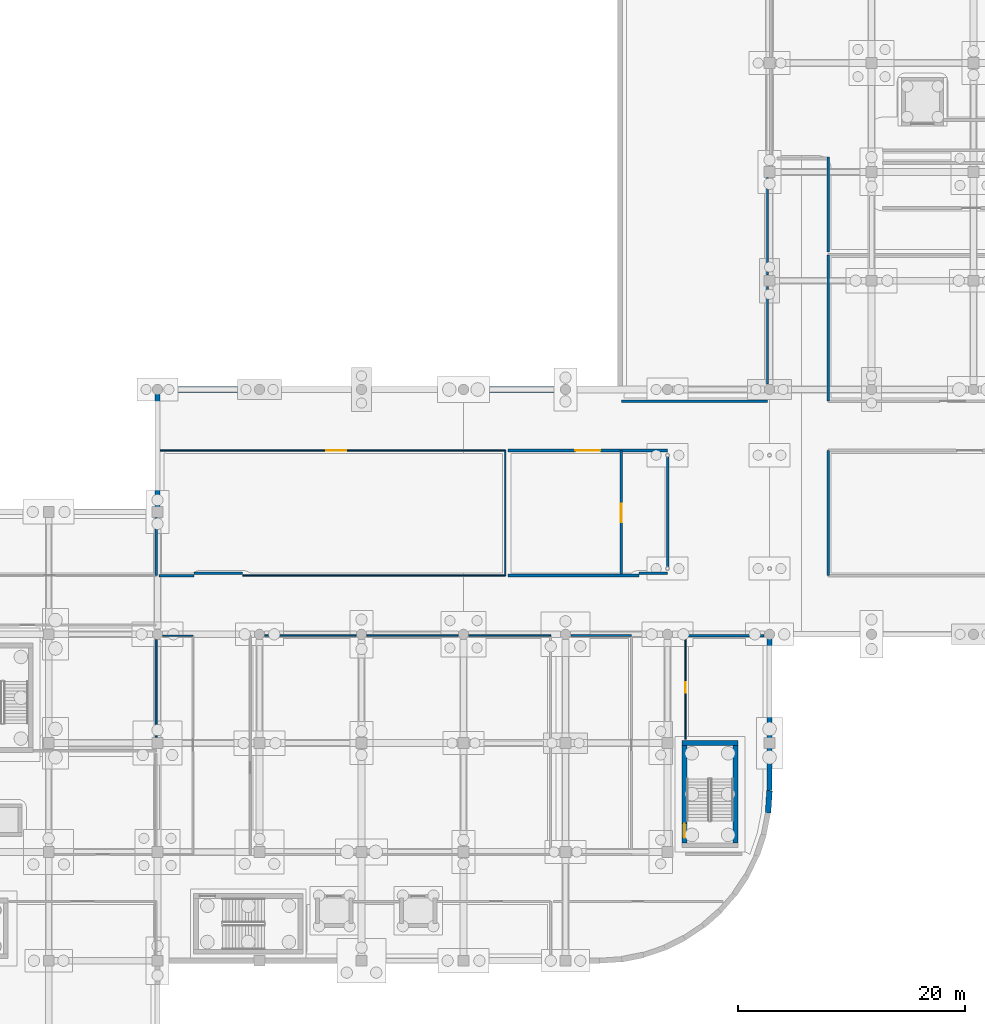
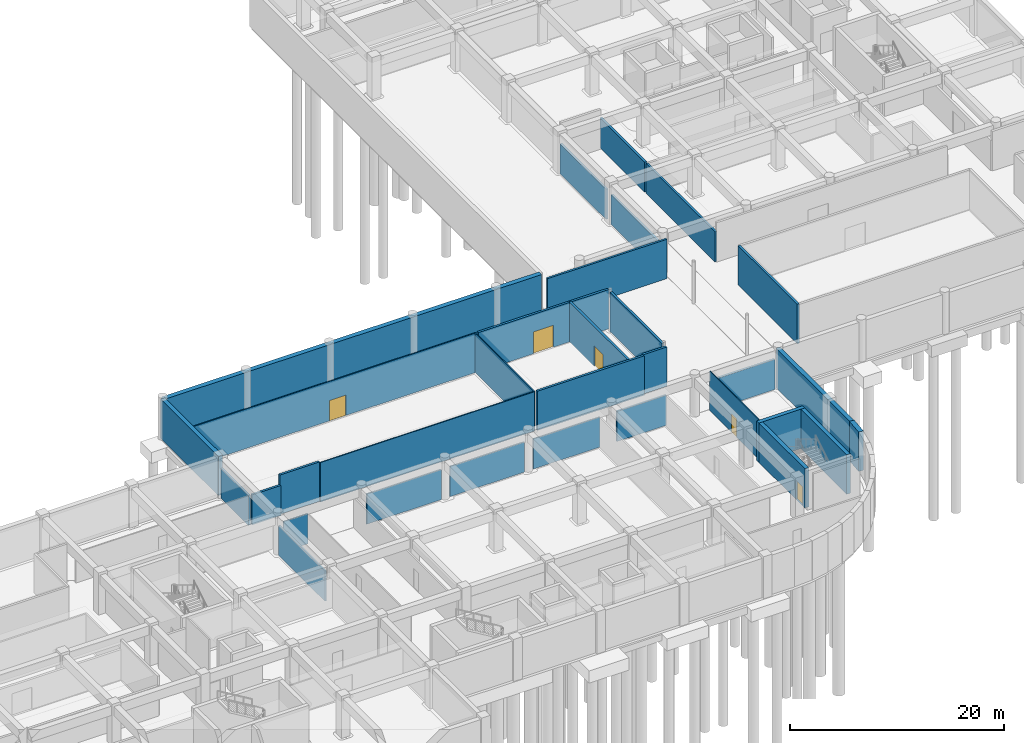
# One storey, part 17 of 47: 32 walls, 5 doors, 5 openings.
"""IFC4 building model written with IfcOpenShell, lengths in metres."""

from ifc_helpers import new_model, si_unit, direction, frame, frame_2d, origin, place, context, subcontext, project, spatial, rectangle, extrude, material, layer, layer_set, type_object, element, fill, save


model = new_model("IFC4")

# Units and contexts
model_context = context("Model", 3, precision=1e-05, world=origin(), true_north=direction((0.0, 1.0)))
body_context = subcontext(model_context, "Body", "Model", "MODEL_VIEW")
ifc_project = project(units=[si_unit("LENGTHUNIT", "METRE"), si_unit("AREAUNIT", "SQUARE_METRE"), si_unit("VOLUMEUNIT", "CUBIC_METRE"), si_unit("PLANEANGLEUNIT", "RADIAN"), si_unit("MASSUNIT", "GRAM", prefix="KILO")], contexts=[model_context])

# Site, building, storey
site_placement = place(None, origin())
site = spatial("IfcSite", under=ifc_project, at=site_placement, CompositionType="ELEMENT")
building_placement = place(site_placement, origin())
building = spatial("IfcBuilding", under=site, at=building_placement, Name="Cendralis Terraced Arcade", CompositionType="ELEMENT")
storey_placement = place(building_placement, frame((0.0, 0.0, -4.800048828125)))
storey = spatial("IfcBuildingStorey", under=building, at=storey_placement, Name="B1", CompositionType="ELEMENT", Elevation=-4.800048828125)

# Walls
ifc_material_1 = material(Name="Gypsum plasterboard acoustic partition", Category="concrete")
ifc_layer_1 = layer(ifc_material_1, 0.205078125, Name="WL-ACOU-205")
ifc_layer_set_1 = layer_set([ifc_layer_1], Name="Gypsum plasterboard acoustic partition")
wall_type_1 = type_object("IfcWallType", Name="WL-ACOU-205", PredefinedType="PARTITIONING", material=ifc_layer_set_1)
wall_1_placement = place(storey_placement, frame((67.080078125, 48.705078125, 0.0), z_axis=(0.0, 0.0, 1.0), x_axis=(0.0, -1.0, 0.0)))
element("IfcWall", 1, at=wall_1_placement, inside=storey, type_object=wall_type_1, Name="Interior Partition Wall IW-B1-0105", PredefinedType="PARTITIONING", context=body_context, shape_type="SweptSolid", body=[
    extrude(rectangle(XDim=5.125, YDim=0.205078125, at=frame_2d((2.5625, 0.0))), origin(), (0.0, 0.0, 1.0), 3.43994140625),
])
ifc_material_2 = material(Name="Autoclaved aerated concrete blockwork", Category="masonry")
ifc_layer_2 = layer(ifc_material_2, 0.221923828125, Name="WL-ACOU-222")
ifc_layer_set_2 = layer_set([ifc_layer_2], Name="Autoclaved aerated concrete blockwork")
wall_type_2 = type_object("IfcWallType", Name="WL-ACOU-222", PredefinedType="PARTITIONING", material=ifc_layer_set_2)
wall_2_placement = place(storey_placement, frame((70.4296875, 43.580078125, 0.0), z_axis=(0.0, 0.0, 1.0), x_axis=(-1.0, 0.0, 0.0)))
element("IfcWall", 2, at=wall_2_placement, inside=storey, type_object=wall_type_2, Name="Interior Partition Wall IW-B1-0124", PredefinedType="PARTITIONING", context=body_context, shape_type="SweptSolid", body=[
    extrude(rectangle(XDim=3.109619140625, YDim=0.221923828125, at=frame_2d((1.5546875, 0.0))), origin(), (0.0, 0.0, 1.0), 3.43994140625),
])
ifc_layer_3 = layer(ifc_material_2, 0.22802734375, Name="WL-ACOU-228")
ifc_layer_set_3 = layer_set([ifc_layer_3], Name="Autoclaved aerated concrete blockwork")
wall_type_3 = type_object("IfcWallType", Name="WL-ACOU-228", PredefinedType="PARTITIONING", material=ifc_layer_set_3)
wall_3_placement = place(storey_placement, frame((74.719482421875, 43.780029296875, 0.0), z_axis=(0.0, 0.0, 1.0), x_axis=(-1.0, 0.0, 0.0)))
element("IfcWall", 3, at=wall_3_placement, inside=storey, type_object=wall_type_3, Name="Interior Partition Wall IW-B1-0123", PredefinedType="PARTITIONING", context=body_context, shape_type="SweptSolid", body=[
    extrude(rectangle(XDim=4.289794921875, YDim=0.22802734375, at=frame_2d((2.14501953125, 0.0))), origin(), (0.0, 0.0, 1.0), 4.5),
])
wall_4_placement = place(storey_placement, frame((113.780029296875, 38.280029296875, 0.0), z_axis=(0.0, 0.0, 1.0), x_axis=(1.0, 0.0, 0.0)))
element("IfcWall", 4, at=wall_4_placement, inside=storey, type_object=wall_type_3, Name="Interior Partition Wall IW-B1-0144", PredefinedType="PARTITIONING", context=body_context, shape_type="SweptSolid", body=[
    extrude(rectangle(XDim=6.949951171875, YDim=0.22802734375, at=frame_2d((3.47509765625, 0.0))), origin(), (0.0, 0.0, 1.0), 3.43994140625),
])
ifc_material_3 = material(Name="Concrete f'c 42 MPa", Category="concrete")
ifc_layer_4 = layer(ifc_material_3, 0.419921875, Name="WL-CORE-420")
ifc_layer_set_4 = layer_set([ifc_layer_4], Name="Concrete f'c 42 MPa")
wall_type_4 = type_object("IfcWallType", Name="WL-CORE-420", PredefinedType="SHEAR", material=ifc_layer_set_4)
wall_5_placement = place(storey_placement, frame((113.47998046875, 28.81005859375, 0.0), z_axis=(0.0, 0.0, 1.0), x_axis=(1.0, 0.0, 0.0)))
element("IfcWall", 5, at=wall_5_placement, inside=storey, type_object=wall_type_4, Name="Stair Core Reinforced Concrete Shear Wall SW-ST-09-B1-N", PredefinedType="SHEAR", context=body_context, shape_type="SweptSolid", body=[
    extrude(rectangle(XDim=4.93994140625, YDim=0.419921875, at=frame_2d((2.469970703125, 0.0))), origin(), (0.0, 0.0, 1.0), 4.5),
])
wall_6_placement = place(storey_placement, frame((118.2099609375, 20.0, 0.0), z_axis=(0.0, 0.0, 1.0), x_axis=(0.0, 1.0, 0.0)))
element("IfcWall", 6, at=wall_6_placement, inside=storey, type_object=wall_type_4, Name="Stair Core Reinforced Concrete Shear Wall SW-ST-09-B1-E", PredefinedType="SHEAR", context=body_context, shape_type="SweptSolid", body=[
    extrude(rectangle(XDim=8.60009765625, YDim=0.419921875, at=frame_2d((4.300048828125, 0.0))), origin(), (0.0, 0.0, 1.0), 4.5),
])

# Wall, opening, door
wall_7_placement = place(storey_placement, frame((113.68994140625, 20.0, 0.0), z_axis=(0.0, 0.0, 1.0), x_axis=(0.0, 1.0, 0.0)))
wall_7 = element("IfcWall", 7, at=wall_7_placement, inside=storey, type_object=wall_type_4, Name="Stair Core Reinforced Concrete Shear Wall SW-ST-09-B1-W", PredefinedType="SHEAR", context=body_context, shape_type="SweptSolid", body=[
    extrude(rectangle(XDim=8.60009765625, YDim=0.419921875, at=frame_2d((4.300048828125, 0.0))), origin(), (0.0, 0.0, 1.0), 4.5),
])
opening_1_placement = place(wall_7_placement, frame((0.449951171875, 0.0, 0.0)))
opening_1 = element("IfcOpeningElement", 8, at=opening_1_placement, cuts=wall_7, Name="Opening D-ST-09-B1", PredefinedType="OPENING", context=body_context, shape_type="SweptSolid", body=[
    extrude(rectangle(XDim=1.25, YDim=2.199951171875, at=frame_2d((0.625, 1.10009765625))), frame((0.0, 0.221923828125, 0.0), z_axis=(0.0, -1.0, 0.0), x_axis=(1.0, 0.0, 0.0)), (0.0, 0.0, 1.0), 0.44384765625),
])
ifc_material_4 = material(Name="Galvanised fire-rated steel door assembly", Category="steel")
door_type_1 = type_object("IfcDoorType", Name="ID-ST-1250x2200", OperationType="NOTDEFINED", PredefinedType="DOOR", material=ifc_material_4)
door_1_placement = place(opening_1_placement, frame((1.25, 0.0, 0.0), z_axis=(0.0, 0.0, 1.0), x_axis=(-1.0, 0.0, 0.0)))
door_1 = element("IfcDoor", 9, at=door_1_placement, inside=storey, type_object=door_type_1, Name="Protected Stair ST-09 Fire Door (B1)", OperationType="SINGLE_SWING_RIGHT", OverallHeight=2.199951171875, OverallWidth=1.25, PredefinedType="DOOR", context=body_context, shape_type="SweptSolid", body=[
    extrude(rectangle(XDim=1.25, YDim=2.199951171875, at=frame_2d((0.625, 1.10009765625))), frame((0.0, 0.02490234375, 0.0), z_axis=(0.0, -1.0, 0.0), x_axis=(1.0, 0.0, 0.0)), (0.0, 0.0, 1.0), 0.050048828125),
])
fill(opening_1, door_1)

# Walls
ifc_layer_5 = layer(ifc_material_2, 0.215087890625, Name="WL-FIRE-215")
ifc_layer_set_5 = layer_set([ifc_layer_5], Name="Autoclaved aerated concrete blockwork")
wall_type_5 = type_object("IfcWallType", Name="WL-FIRE-215", PredefinedType="PARTITIONING", material=ifc_layer_set_5)
wall_8_placement = place(storey_placement, frame((126.3798828125, 58.97998046875, 0.0), z_axis=(0.0, 0.0, 1.0), x_axis=(0.0, 1.0, 0.0)))
element("IfcWall", 10, at=wall_8_placement, inside=storey, type_object=wall_type_5, Name="Interior Partition Wall IW-B1-0162", PredefinedType="PARTITIONING", context=body_context, shape_type="SweptSolid", body=[
    extrude(rectangle(XDim=12.89990234375, YDim=0.215087890625, at=frame_2d((6.449951171875, 0.0))), origin(), (0.0, 0.0, 1.0), 3.43994140625),
])
wall_9_placement = place(storey_placement, frame((121.02001953125, 58.97998046875, 0.0), z_axis=(0.0, 0.0, 1.0), x_axis=(-1.0, 0.0, 0.0)))
element("IfcWall", 11, at=wall_9_placement, inside=storey, type_object=wall_type_5, Name="Interior Partition Wall IW-B1-0185", PredefinedType="PARTITIONING", context=body_context, shape_type="SweptSolid", body=[
    extrude(rectangle(XDim=12.89990234375, YDim=0.215087890625, at=frame_2d((6.449951171875, 0.0))), origin(), (0.0, 0.0, 1.0), 4.5),
])
wall_10_placement = place(storey_placement, frame((121.02001953125, 69.10498046875, 0.0), z_axis=(0.0, 0.0, 1.0), x_axis=(0.0, -1.0, 0.0)))
element("IfcWall", 12, at=wall_10_placement, inside=storey, type_object=wall_type_5, Name="Interior Partition Wall IW-B1-0186", PredefinedType="PARTITIONING", context=body_context, shape_type="SweptSolid", body=[
    extrude(rectangle(XDim=8.635009765625, YDim=0.215087890625, at=frame_2d((4.3173828125, 0.0))), origin(), (0.0, 0.0, 1.0), 3.43994140625),
])
wall_11_placement = place(storey_placement, frame((121.02001953125, 78.705078125, 0.0), z_axis=(0.0, 0.0, 1.0), x_axis=(0.0, -1.0, 0.0)))
element("IfcWall", 13, at=wall_11_placement, inside=storey, type_object=wall_type_5, Name="Interior Partition Wall IW-B1-0187", PredefinedType="PARTITIONING", context=body_context, shape_type="SweptSolid", body=[
    extrude(rectangle(XDim=8.610107421875, YDim=0.215087890625, at=frame_2d((4.30517578125, 0.0))), origin(), (0.0, 0.0, 1.0), 3.43994140625),
])
ifc_layer_6 = layer(ifc_material_2, 0.235107421875, Name="WL-FIRE-235")
ifc_layer_set_6 = layer_set([ifc_layer_6], Name="Autoclaved aerated concrete blockwork")
wall_type_6 = type_object("IfcWallType", Name="WL-FIRE-235", PredefinedType="PARTITIONING", material=ifc_layer_set_6)
wall_12_placement = place(storey_placement, frame((126.3798828125, 43.580078125, 0.0), z_axis=(0.0, 0.0, 1.0), x_axis=(0.0, 1.0, 0.0)))
element("IfcWall", 14, at=wall_12_placement, inside=storey, type_object=wall_type_6, Name="Interior Partition Wall IW-B1-0158", PredefinedType="PARTITIONING", context=body_context, shape_type="SweptSolid", body=[
    extrude(rectangle(XDim=11.0400390625, YDim=0.235107421875, at=frame_2d((5.52001953125, 0.0))), origin(), (0.0, 0.0, 1.0), 4.5),
])

# Wall, opening, door
ifc_layer_7 = layer(ifc_material_2, 0.241943359375, Name="WL-FIRE-242")
ifc_layer_set_7 = layer_set([ifc_layer_7], Name="Autoclaved aerated concrete blockwork")
wall_type_7 = type_object("IfcWallType", Name="WL-FIRE-242", PredefinedType="PARTITIONING", material=ifc_layer_set_7)
wall_13_placement = place(storey_placement, frame((98.1201171875, 54.6201171875, 0.0), z_axis=(0.0, 0.0, 1.0), x_axis=(1.0, 0.0, 0.0)))
wall_13 = element("IfcWall", 15, at=wall_13_placement, inside=storey, type_object=wall_type_7, Name="Interior Partition Wall IW-B1-0125", PredefinedType="PARTITIONING", context=body_context, shape_type="SweptSolid", body=[
    extrude(rectangle(XDim=14.099853515625, YDim=0.241943359375, at=frame_2d((7.0498046875, 0.0))), origin(), (0.0, 0.0, 1.0), 4.5),
])
opening_2_placement = place(wall_13_placement, frame((5.949951171875, 0.0, 0.0)))
opening_2 = element("IfcOpeningElement", 16, at=opening_2_placement, cuts=wall_13, Name="Opening D-B1-042", PredefinedType="OPENING", context=body_context, shape_type="SweptSolid", body=[
    extrude(rectangle(XDim=2.199951171875, YDim=2.5, at=frame_2d((1.10009765625, 1.25))), frame((0.0, 0.1328125, 0.0), z_axis=(0.0, -1.0, 0.0), x_axis=(1.0, 0.0, 0.0)), (0.0, 0.0, 1.0), 0.265869140625),
])
door_type_2 = type_object("IfcDoorType", Name="ID-STK-2200x2500", OperationType="DOUBLE_DOOR_SINGLE_SWING", PredefinedType="DOOR", material=ifc_material_4)
door_2_placement = place(opening_2_placement, origin())
door_2 = element("IfcDoor", 17, at=door_2_placement, inside=storey, type_object=door_type_2, Name="Central Stockrooms and Automated Picking - Arcade Receiving Door D-B1-042", OperationType="DOUBLE_DOOR_SINGLE_SWING", OverallHeight=2.5, OverallWidth=2.199951171875, PredefinedType="DOOR", context=body_context, shape_type="SweptSolid", body=[
    extrude(rectangle(XDim=2.199951171875, YDim=2.5, at=frame_2d((1.10009765625, 1.25))), frame((0.0, 0.02490234375, 0.0), z_axis=(0.0, -1.0, 0.0), x_axis=(1.0, 0.0, 0.0)), (0.0, 0.0, 1.0), 0.050048828125),
])
fill(opening_2, door_2)

# Walls
wall_14_placement = place(storey_placement, frame((109.6806640625, 43.580078125, 0.0), z_axis=(0.0, 0.0, 1.0), x_axis=(-1.0, 0.0, 0.0)))
element("IfcWall", 18, at=wall_14_placement, inside=storey, type_object=wall_type_7, Name="Interior Partition Wall IW-B1-0126", PredefinedType="PARTITIONING", context=body_context, shape_type="SweptSolid", body=[
    extrude(rectangle(XDim=11.560546875, YDim=0.241943359375, at=frame_2d((5.7802734375, 0.0))), origin(), (0.0, 0.0, 1.0), 4.5),
])
wall_15_placement = place(storey_placement, frame((112.219970703125, 54.0400390625, 0.0), z_axis=(0.0, 0.0, 1.0), x_axis=(0.0, -1.0, 0.0)))
element("IfcWall", 19, at=wall_15_placement, inside=storey, type_object=wall_type_7, Name="Interior Partition Wall IW-B1-0127", PredefinedType="PARTITIONING", context=body_context, shape_type="SweptSolid", body=[
    extrude(rectangle(XDim=9.679931640625, YDim=0.241943359375, at=frame_2d((4.83984375, 0.0))), origin(), (0.0, 0.0, 1.0), 4.5),
])
wall_16_placement = place(storey_placement, frame((112.219970703125, 43.780029296875, 0.0), z_axis=(0.0, 0.0, 1.0), x_axis=(-1.0, 0.0, 0.0)))
element("IfcWall", 20, at=wall_16_placement, inside=storey, type_object=wall_type_7, Name="Interior Partition Wall IW-B1-0128", PredefinedType="PARTITIONING", context=body_context, shape_type="SweptSolid", body=[
    extrude(rectangle(XDim=2.539306640625, YDim=0.241943359375, at=frame_2d((1.26953125, 0.0))), origin(), (0.0, 0.0, 1.0), 4.5),
])
wall_17_placement = place(storey_placement, frame((126.3798828125, 72.1201171875, 0.0), z_axis=(0.0, 0.0, 1.0), x_axis=(0.0, 1.0, 0.0)))
element("IfcWall", 21, at=wall_17_placement, inside=storey, type_object=wall_type_7, Name="Interior Partition Wall IW-B1-0174", PredefinedType="PARTITIONING", context=body_context, shape_type="SweptSolid", body=[
    extrude(rectangle(XDim=8.380859375, YDim=0.241943359375, at=frame_2d((4.1904296875, 0.0))), origin(), (0.0, 0.0, 1.0), 3.43994140625),
])

# Wall, opening, door
ifc_layer_8 = layer(ifc_material_2, 0.260009765625, Name="WL-FIRE-260")
ifc_layer_set_8 = layer_set([ifc_layer_8], Name="Autoclaved aerated concrete blockwork")
wall_type_8 = type_object("IfcWallType", Name="WL-FIRE-260", PredefinedType="PARTITIONING", material=ifc_layer_set_8)
wall_18_placement = place(storey_placement, frame((108.1201171875, 43.580078125, 0.0), z_axis=(0.0, 0.0, 1.0), x_axis=(0.0, 1.0, 0.0)))
wall_18 = element("IfcWall", 22, at=wall_18_placement, inside=storey, type_object=wall_type_8, Name="Interior Partition Wall IW-B1-0189", PredefinedType="PARTITIONING", context=body_context, shape_type="SweptSolid", body=[
    extrude(rectangle(XDim=11.0400390625, YDim=0.260009765625, at=frame_2d((5.52001953125, 0.0))), origin(), (0.0, 0.0, 1.0), 4.5),
])
opening_3_placement = place(wall_18_placement, frame((4.719970703125, 0.0, 0.0)))
opening_3 = element("IfcOpeningElement", 23, at=opening_3_placement, cuts=wall_18, Name="Opening D-B1-057", PredefinedType="OPENING", context=body_context, shape_type="SweptSolid", body=[
    extrude(rectangle(XDim=1.60009765625, YDim=2.300048828125, at=frame_2d((0.800048828125, 1.14990234375))), frame((0.0, 0.14208984375, 0.0), z_axis=(0.0, -1.0, 0.0), x_axis=(1.0, 0.0, 0.0)), (0.0, 0.0, 1.0), 0.283935546875),
])
door_type_3 = type_object("IfcDoorType", Name="ID-PLT-1600x2300", OperationType="DOUBLE_DOOR_SINGLE_SWING", PredefinedType="DOOR", material=ifc_material_4)
door_3_placement = place(opening_3_placement, origin())
door_3 = element("IfcDoor", 24, at=door_3_placement, inside=storey, type_object=door_type_3, Name="Substation, Chiller, Water Tank and Standby Power Plant - North Hall Door D-B1-057", OperationType="DOUBLE_DOOR_SINGLE_SWING", OverallHeight=2.300048828125, OverallWidth=1.60009765625, PredefinedType="DOOR", context=body_context, shape_type="SweptSolid", body=[
    extrude(rectangle(XDim=1.60009765625, YDim=2.300048828125, at=frame_2d((0.800048828125, 1.14990234375))), frame((0.0, 0.02490234375, 0.0), z_axis=(0.0, -1.0, 0.0), x_axis=(1.0, 0.0, 0.0)), (0.0, 0.0, 1.0), 0.050048828125),
])
fill(opening_3, door_3)

# Wall
ifc_layer_9 = layer(ifc_material_1, 0.10791015625, Name="WL-PART-108")
ifc_layer_set_9 = layer_set([ifc_layer_9], Name="Gypsum plasterboard acoustic partition")
wall_type_9 = type_object("IfcWallType", Name="WL-PART-108", PredefinedType="PARTITIONING", material=ifc_layer_set_9)
wall_19_placement = place(storey_placement, frame((97.8798828125, 54.6201171875, 0.0), z_axis=(0.0, 0.0, 1.0), x_axis=(0.0, -1.0, 0.0)))
element("IfcWall", 25, at=wall_19_placement, inside=storey, type_object=wall_type_9, Name="Interior Partition Wall IW-B1-0122", PredefinedType="PARTITIONING", context=body_context, shape_type="SweptSolid", body=[
    extrude(rectangle(XDim=11.0400390625, YDim=0.10791015625, at=frame_2d((5.52001953125, 0.0))), origin(), (0.0, 0.0, 1.0), 4.5),
])

# Wall, opening, door
wall_20_placement = place(storey_placement, frame((113.780029296875, 29.126220703125, 0.0), z_axis=(0.0, 0.0, 1.0), x_axis=(0.0, 1.0, 0.0)))
wall_20 = element("IfcWall", 26, at=wall_20_placement, inside=storey, type_object=wall_type_9, Name="Interior Partition Wall IW-B1-0143", PredefinedType="PARTITIONING", context=body_context, shape_type="SweptSolid", body=[
    extrude(rectangle(XDim=9.15380859375, YDim=0.10791015625, at=frame_2d((4.576904296875, 0.0))), origin(), (0.0, 0.0, 1.0), 4.5),
])
opening_4_placement = place(wall_20_placement, frame((4.096923828125, 0.0, 0.0)))
opening_4 = element("IfcOpeningElement", 27, at=opening_4_placement, cuts=wall_20, Name="Opening D-B1-046", PredefinedType="OPENING", context=body_context, shape_type="SweptSolid", body=[
    extrude(rectangle(XDim=0.9599609375, YDim=2.1298828125, at=frame_2d((0.47998046875, 1.06494140625))), frame((0.0, 0.06591796875, 0.0), z_axis=(0.0, -1.0, 0.0), x_axis=(1.0, 0.0, 0.0)), (0.0, 0.0, 1.0), 0.1318359375),
])
ifc_material_5 = material(Name="Solid core Andean oak veneer door leaf", Category="aluminium")
door_type_4 = type_object("IfcDoorType", Name="ID-RM-0960x2130", OperationType="NOTDEFINED", PredefinedType="DOOR", material=ifc_material_5)
door_4_placement = place(opening_4_placement, origin())
door_4 = element("IfcDoor", 28, at=door_4_placement, inside=storey, type_object=door_type_4, Name="Culinary Cold Stockroom and Wine Vault Door D-B1-046", OperationType="SINGLE_SWING_RIGHT", OverallHeight=2.1298828125, OverallWidth=0.9599609375, PredefinedType="DOOR", context=body_context, shape_type="SweptSolid", body=[
    extrude(rectangle(XDim=0.9599609375, YDim=2.1298828125, at=frame_2d((0.47998046875, 1.06494140625))), frame((0.0, 0.02490234375, 0.0), z_axis=(0.0, -1.0, 0.0), x_axis=(1.0, 0.0, 0.0)), (0.0, 0.0, 1.0), 0.050048828125),
])
fill(opening_4, door_4)

# Wall
ifc_layer_10 = layer(ifc_material_1, 0.112060546875, Name="WL-PART-112")
ifc_layer_set_10 = layer_set([ifc_layer_10], Name="Gypsum plasterboard acoustic partition")
wall_type_10 = type_object("IfcWallType", Name="WL-PART-112", PredefinedType="PARTITIONING", material=ifc_layer_set_10)
wall_21_placement = place(storey_placement, frame((97.8798828125, 43.580078125, 0.0), z_axis=(0.0, 0.0, 1.0), x_axis=(-1.0, 0.0, 0.0)))
element("IfcWall", 29, at=wall_21_placement, inside=storey, type_object=wall_type_10, Name="Interior Partition Wall IW-B1-0121", PredefinedType="PARTITIONING", context=body_context, shape_type="SweptSolid", body=[
    extrude(rectangle(XDim=23.160400390625, YDim=0.112060546875, at=frame_2d((11.580078125, 0.0))), origin(), (0.0, 0.0, 1.0), 4.5),
])

# Wall, opening, door
ifc_layer_11 = layer(ifc_material_1, 0.114990234375, Name="WL-PART-115")
ifc_layer_set_11 = layer_set([ifc_layer_11], Name="Gypsum plasterboard acoustic partition")
wall_type_11 = type_object("IfcWallType", Name="WL-PART-115", PredefinedType="PARTITIONING", material=ifc_layer_set_11)
wall_22_placement = place(storey_placement, frame((67.425048828125, 54.6201171875, 0.0), z_axis=(0.0, 0.0, 1.0), x_axis=(1.0, 0.0, 0.0)))
wall_22 = element("IfcWall", 30, at=wall_22_placement, inside=storey, type_object=wall_type_11, Name="Interior Partition Wall IW-B1-0120", PredefinedType="PARTITIONING", context=body_context, shape_type="SweptSolid", body=[
    extrude(rectangle(XDim=30.454833984375, YDim=0.114990234375, at=frame_2d((15.2275390625, 0.0))), origin(), (0.0, 0.0, 1.0), 4.5),
])
opening_5_placement = place(wall_22_placement, frame((14.64501953125, 0.0, 0.0)))
opening_5 = element("IfcOpeningElement", 31, at=opening_5_placement, cuts=wall_22, Name="Opening D-B1-041", PredefinedType="OPENING", context=body_context, shape_type="SweptSolid", body=[
    extrude(rectangle(XDim=1.780029296875, YDim=2.320068359375, at=frame_2d((0.89013671875, 1.16015625))), frame((0.0, 0.0693359375, 0.0), z_axis=(0.0, -1.0, 0.0), x_axis=(1.0, 0.0, 0.0)), (0.0, 0.0, 1.0), 0.138916015625),
])
door_type_5 = type_object("IfcDoorType", Name="ID-DEP-1780x2320", OperationType="DOUBLE_DOOR_SINGLE_SWING", PredefinedType="DOOR", material=ifc_material_5)
door_5_placement = place(opening_5_placement, origin())
door_5 = element("IfcDoor", 32, at=door_5_placement, inside=storey, type_object=door_type_5, Name="Bicycle Mobility and Micromobility Hub - East Bay Door D-B1-041", OperationType="DOUBLE_DOOR_SINGLE_SWING", OverallHeight=2.320068359375, OverallWidth=1.780029296875, PredefinedType="DOOR", context=body_context, shape_type="SweptSolid", body=[
    extrude(rectangle(XDim=1.780029296875, YDim=2.320068359375, at=frame_2d((0.89013671875, 1.16015625))), frame((0.0, 0.02490234375, 0.0), z_axis=(0.0, -1.0, 0.0), x_axis=(1.0, 0.0, 0.0)), (0.0, 0.0, 1.0), 0.050048828125),
])
fill(opening_5, door_5)

# Walls
ifc_layer_12 = layer(ifc_material_1, 0.117919921875, Name="WL-PART-118")
ifc_layer_set_12 = layer_set([ifc_layer_12], Name="Gypsum plasterboard acoustic partition")
wall_type_12 = type_object("IfcWallType", Name="WL-PART-118", PredefinedType="PARTITIONING", material=ifc_layer_set_12)
wall_23_placement = place(storey_placement, frame((67.669921875, 38.280029296875, 0.0), z_axis=(0.0, 0.0, 1.0), x_axis=(1.0, 0.0, 0.0)))
element("IfcWall", 33, at=wall_23_placement, inside=storey, type_object=wall_type_12, Name="Interior Partition Wall IW-B1-0141", PredefinedType="PARTITIONING", context=body_context, shape_type="SweptSolid", body=[
    extrude(rectangle(XDim=2.650146484375, YDim=0.117919921875, at=frame_2d((1.3251953125, 0.0))), origin(), (0.0, 0.0, 1.0), 3.43994140625),
])
ifc_layer_13 = layer(ifc_material_1, 0.1298828125, Name="WL-PART-130")
ifc_layer_set_13 = layer_set([ifc_layer_13], Name="Gypsum plasterboard acoustic partition")
wall_type_13 = type_object("IfcWallType", Name="WL-PART-130", PredefinedType="PARTITIONING", material=ifc_layer_set_13)
wall_24_placement = place(storey_placement, frame((94.669921875, 38.280029296875, 0.0), z_axis=(0.0, 0.0, 1.0), x_axis=(1.0, 0.0, 0.0)))
element("IfcWall", 34, at=wall_24_placement, inside=storey, type_object=wall_type_13, Name="Interior Partition Wall IW-B1-0139", PredefinedType="PARTITIONING", context=body_context, shape_type="SweptSolid", body=[
    extrude(rectangle(XDim=7.2099609375, YDim=0.1298828125, at=frame_2d((3.60498046875, 0.0))), origin(), (0.0, 0.0, 1.0), 3.43994140625),
])
ifc_layer_14 = layer(ifc_material_1, 0.134033203125, Name="WL-PART-134")
ifc_layer_set_14 = layer_set([ifc_layer_14], Name="Gypsum plasterboard acoustic partition")
wall_type_14 = type_object("IfcWallType", Name="WL-PART-134", PredefinedType="PARTITIONING", material=ifc_layer_set_14)
wall_25_placement = place(storey_placement, frame((85.669921875, 38.280029296875, 0.0), z_axis=(0.0, 0.0, 1.0), x_axis=(1.0, 0.0, 0.0)))
element("IfcWall", 35, at=wall_25_placement, inside=storey, type_object=wall_type_14, Name="Interior Partition Wall IW-B1-0138", PredefinedType="PARTITIONING", context=body_context, shape_type="SweptSolid", body=[
    extrude(rectangle(XDim=8.06005859375, YDim=0.134033203125, at=frame_2d((4.030029296875, 0.0))), origin(), (0.0, 0.0, 1.0), 3.43994140625),
])
ifc_layer_15 = layer(ifc_material_1, 0.137939453125, Name="WL-PART-138")
ifc_layer_set_15 = layer_set([ifc_layer_15], Name="Gypsum plasterboard acoustic partition")
wall_type_15 = type_object("IfcWallType", Name="WL-PART-138", PredefinedType="PARTITIONING", material=ifc_layer_set_15)
wall_26_placement = place(storey_placement, frame((76.669921875, 38.280029296875, 0.0), z_axis=(0.0, 0.0, 1.0), x_axis=(1.0, 0.0, 0.0)))
element("IfcWall", 36, at=wall_26_placement, inside=storey, type_object=wall_type_15, Name="Interior Partition Wall IW-B1-0137", PredefinedType="PARTITIONING", context=body_context, shape_type="SweptSolid", body=[
    extrude(rectangle(XDim=8.06005859375, YDim=0.137939453125, at=frame_2d((4.030029296875, 0.0))), origin(), (0.0, 0.0, 1.0), 3.43994140625),
])
ifc_layer_16 = layer(ifc_material_1, 0.169921875, Name="WL-PART-170")
ifc_layer_set_16 = layer_set([ifc_layer_16], Name="Gypsum plasterboard acoustic partition")
wall_type_16 = type_object("IfcWallType", Name="WL-PART-170", PredefinedType="PARTITIONING", material=ifc_layer_set_16)
wall_27_placement = place(storey_placement, frame((67.080078125, 37.929931640625, 0.0), z_axis=(0.0, 0.0, 1.0), x_axis=(0.0, -1.0, 0.0)))
element("IfcWall", 37, at=wall_27_placement, inside=storey, type_object=wall_type_16, Name="Interior Partition Wall IW-B1-0111", PredefinedType="PARTITIONING", context=body_context, shape_type="SweptSolid", body=[
    extrude(rectangle(XDim=8.635009765625, YDim=0.169921875, at=frame_2d((4.3173828125, 0.0))), origin(), (0.0, 0.0, 1.0), 3.43994140625),
])
ifc_layer_17 = layer(ifc_material_1, 0.18994140625, Name="WL-PART-190")
ifc_layer_set_17 = layer_set([ifc_layer_17], Name="Gypsum plasterboard acoustic partition")
wall_type_17 = type_object("IfcWallType", Name="WL-PART-190", PredefinedType="PARTITIONING", material=ifc_layer_set_17)
wall_28_placement = place(storey_placement, frame((103.669921875, 38.280029296875, 0.0), z_axis=(0.0, 0.0, 1.0), x_axis=(1.0, 0.0, 0.0)))
element("IfcWall", 38, at=wall_28_placement, inside=storey, type_object=wall_type_17, Name="Interior Partition Wall IW-B1-0148", PredefinedType="PARTITIONING", context=body_context, shape_type="SweptSolid", body=[
    extrude(rectangle(XDim=5.35009765625, YDim=0.18994140625, at=frame_2d((2.675048828125, 0.0))), origin(), (0.0, 0.0, 1.0), 3.43994140625),
])
ifc_material_6 = material(Name="Concrete f'c 35 MPa", Category="concrete")
ifc_layer_18 = layer(ifc_material_6, 0.449951171875, Name="WL-RET-450")
ifc_layer_set_18 = layer_set([ifc_layer_18], Name="Concrete f'c 35 MPa")
wall_type_18 = type_object("IfcWallType", Name="WL-RET-450", PredefinedType="USERDEFINED", material=ifc_layer_set_18)
wall_29_placement = place(storey_placement, frame((67.199951171875, 49.199951171875, 0.0), z_axis=(0.0, 0.0, 1.0), x_axis=(0.0, 1.0, 0.0)))
element("IfcWall", 39, at=wall_29_placement, inside=storey, type_object=wall_type_18, Name="Basement Reinforced Concrete Retaining Wall RW-B1-30", ObjectType="RETAINING WALL", PredefinedType="USERDEFINED", context=body_context, shape_type="SweptSolid", body=[
    extrude(rectangle(XDim=10.800048828125, YDim=0.449951171875, at=frame_2d((5.39990234375, 0.0))), origin(), (0.0, 0.0, 1.0), 4.5),
])
wall_30_placement = place(storey_placement, frame((121.199951171875, 38.39990234375, 0.0), z_axis=(0.0, 0.0, 1.0), x_axis=(0.0, -1.0, 0.0)))
element("IfcWall", 40, at=wall_30_placement, inside=storey, type_object=wall_type_18, Name="Basement Reinforced Concrete Retaining Wall RW-B1-48", ObjectType="RETAINING WALL", PredefinedType="USERDEFINED", context=body_context, shape_type="SweptSolid", body=[
    extrude(rectangle(XDim=13.7998046875, YDim=0.449951171875, at=frame_2d((6.89990234375, 0.0))), origin(), (0.0, 0.0, 1.0), 4.5),
])
ifc_layer_19 = layer(ifc_material_6, 0.5, Name="WL-RET-500")
ifc_layer_set_19 = layer_set([ifc_layer_19], Name="Concrete f'c 35 MPa")
wall_type_19 = type_object("IfcWallType", Name="WL-RET-500", PredefinedType="USERDEFINED", material=ifc_layer_set_19)
wall_31_placement = place(storey_placement, frame((121.199951171875, 24.60009765625, 0.0), z_axis=(0.0, 0.0, 1.0), x_axis=(-0.065321538715, -0.997864267614, 0.0)))
element("IfcWall", 41, at=wall_31_placement, inside=storey, type_object=wall_type_19, Name="Basement Reinforced Concrete Retaining Wall RW-B1-01", ObjectType="RETAINING WALL", PredefinedType="USERDEFINED", context=body_context, shape_type="SweptSolid", body=[
    extrude(rectangle(XDim=1.962158203125, YDim=0.5, at=frame_2d((0.98095703125, 0.0))), origin(), (0.0, 0.0, 1.0), 4.5),
])
wall_32_placement = place(storey_placement, frame((67.199951171875, 60.0, 0.0), z_axis=(0.0, 0.0, 1.0), x_axis=(1.0, 0.0, 0.0)))
element("IfcWall", 42, at=wall_32_placement, inside=storey, type_object=wall_type_19, Name="Basement Reinforced Concrete Retaining Wall RW-B1-31", ObjectType="RETAINING WALL", PredefinedType="USERDEFINED", context=body_context, shape_type="SweptSolid", body=[
    extrude(rectangle(XDim=40.800048828125, YDim=0.5, at=frame_2d((20.39990234375, 0.0))), origin(), (0.0, 0.0, 1.0), 4.5),
])

save(model, "model.ifc")
